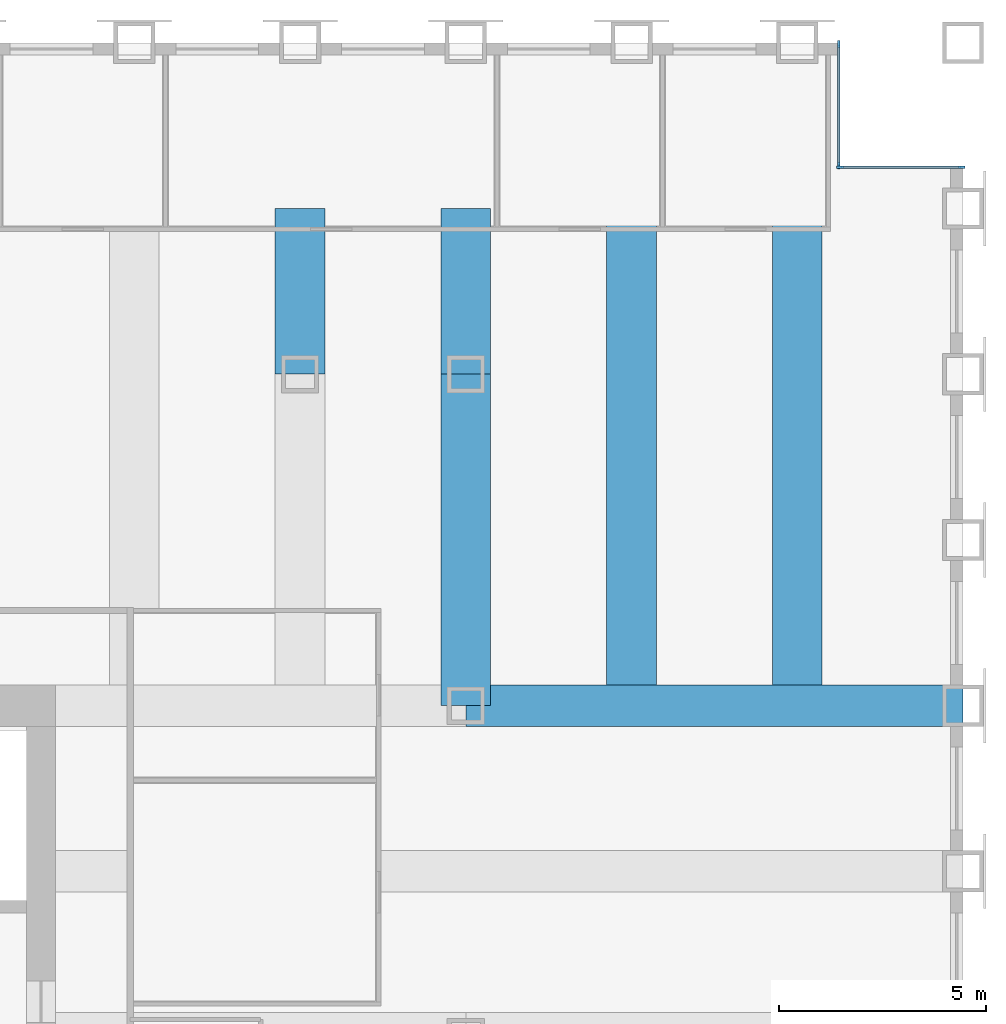
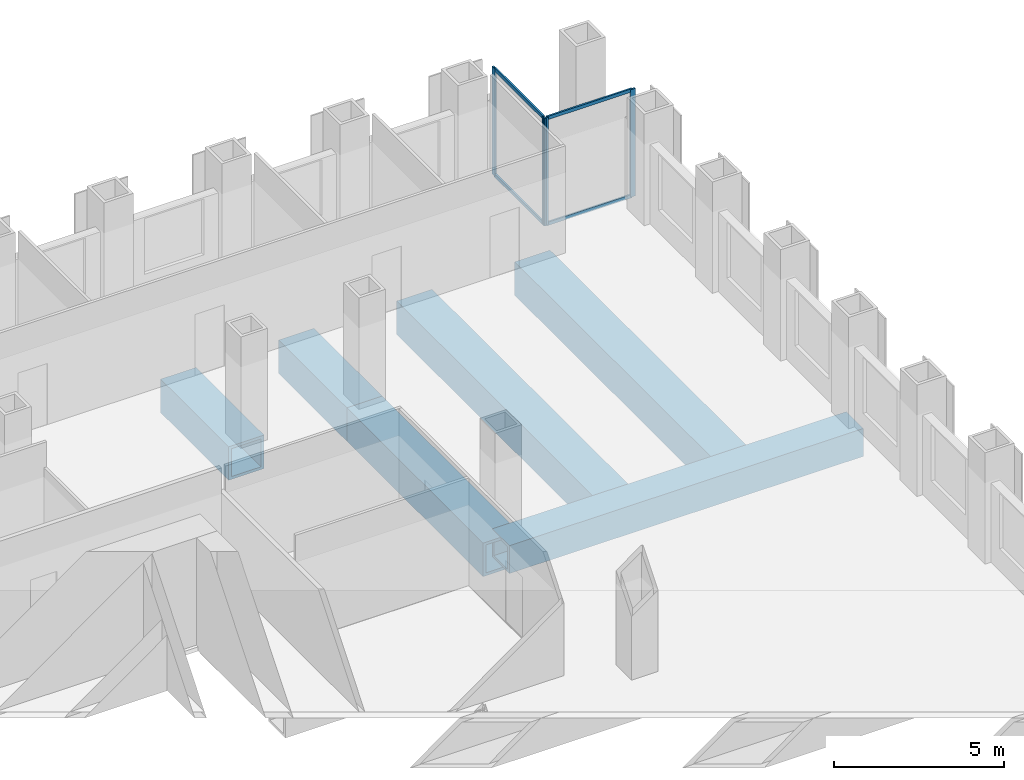
# One storey, part 8 of 14: 8 members, 6 beams, 2 elements without a shape of their own.
"""IFC4 building model written with IfcOpenShell, lengths in metres."""

from ifc_helpers import new_model, si_unit, direction, frame, origin, origin_2d, place, context, subcontext, project, spatial, rectangle, hollow_rectangle, extrude, material, material_profile, profile_set, type_object, element, aggregate, save


model = new_model("IFC4")

# Units and contexts
model_context = context("Model", 3, precision=1e-05, world=origin(), true_north=direction((0.0, 1.0)))
body_context = subcontext(model_context, "Body", "Model", "MODEL_VIEW")
ifc_project = project(units=[si_unit("LENGTHUNIT", "METRE"), si_unit("AREAUNIT", "SQUARE_METRE"), si_unit("VOLUMEUNIT", "CUBIC_METRE"), si_unit("PLANEANGLEUNIT", "RADIAN"), si_unit("MASSUNIT", "GRAM", prefix="KILO")], contexts=[model_context])

# Site, building, storey
site_placement = place(None, origin())
site = spatial("IfcSite", under=ifc_project, at=site_placement, CompositionType="ELEMENT")
building_placement = place(site_placement, origin())
building = spatial("IfcBuilding", under=site, at=building_placement, Name="Rimbunsela Tower", CompositionType="ELEMENT")
storey_placement = place(building_placement, frame((0.0, 0.0, 109.39990234375)))
storey = spatial("IfcBuildingStorey", under=building, at=storey_placement, Name="L26", CompositionType="ELEMENT", Elevation=109.39990234375)

# Beams
ifc_material_1 = material(Name="Steel BJ 55 (fy 410 MPa)", Category="steel")
ifc_material_profile_1 = material_profile(ifc_material_1, hollow_rectangle(XDim=1.0, YDim=1.0, WallThickness=0.10009765625, at=origin_2d()), Name="BOX 1000x1000x100")
ifc_profile_set_1 = profile_set([ifc_material_profile_1], Name="Steel BJ 55 (fy 410 MPa)")
beam_type_1 = type_object("IfcBeamType", Name="Beam BOX 1000x1000x100", PredefinedType="BEAM", material=ifc_profile_set_1)
beam_1_placement = place(storey_placement, frame((46.0, 36.0, -0.64990234375), z_axis=(1.0, 0.0, 0.0), x_axis=(0.0, 1.0, 0.0)))
element("IfcBeam", 1, at=beam_1_placement, inside=storey, type_object=beam_type_1, Name="Beam B3 L26", PredefinedType="BEAM", context=body_context, shape_type="SweptSolid", body=[
    extrude(hollow_rectangle(XDim=1.0, YDim=1.0, WallThickness=0.10009765625, at=origin_2d()), origin(), (0.0, 0.0, 1.0), 12.0),
])
ifc_material_2 = material(Name="Steel BJ 55 (fy 410 MPa)", Category="steel")
ifc_material_profile_2 = material_profile(ifc_material_2, hollow_rectangle(XDim=1.199951171875, YDim=1.199951171875, WallThickness=0.10009765625, at=origin_2d()), Name="BOX 1200x1200x100")
ifc_profile_set_2 = profile_set([ifc_material_profile_2], Name="Steel BJ 55 (fy 410 MPa)")
beam_type_2 = type_object("IfcBeamType", Name="Beam BOX 1200x1200x100", PredefinedType="BEAM", material=ifc_profile_set_2)
beam_2_placement = place(storey_placement, frame((42.0, 44.0, -0.75), z_axis=(0.0, 1.0, 0.0), x_axis=(-1.0, 0.0, 0.0)))
element("IfcBeam", 2, at=beam_2_placement, inside=storey, type_object=beam_type_2, Name="Beam B5 L26", PredefinedType="BEAM", context=body_context, shape_type="SweptSolid", body=[
    extrude(hollow_rectangle(XDim=1.199951171875, YDim=1.199951171875, WallThickness=0.10009765625, at=origin_2d()), origin(), (0.0, 0.0, 1.0), 4.0),
])
beam_3_placement = place(storey_placement, frame((46.0, 36.0, -0.75), z_axis=(0.0, 1.0, 0.0), x_axis=(-1.0, 0.0, 0.0)))
element("IfcBeam", 3, at=beam_3_placement, inside=storey, type_object=beam_type_2, Name="Beam B5 L26", PredefinedType="BEAM", context=body_context, shape_type="SweptSolid", body=[
    extrude(hollow_rectangle(XDim=1.199951171875, YDim=1.199951171875, WallThickness=0.10009765625, at=origin_2d()), origin(), (0.0, 0.0, 1.0), 8.0),
])
beam_4_placement = place(storey_placement, frame((46.0, 44.0, -0.75), z_axis=(0.0, 1.0, 0.0), x_axis=(-1.0, 0.0, 0.0)))
element("IfcBeam", 4, at=beam_4_placement, inside=storey, type_object=beam_type_2, Name="Beam B5 L26", PredefinedType="BEAM", context=body_context, shape_type="SweptSolid", body=[
    extrude(hollow_rectangle(XDim=1.199951171875, YDim=1.199951171875, WallThickness=0.10009765625, at=origin_2d()), origin(), (0.0, 0.0, 1.0), 4.0),
])
for number, where, z_axis, x_axis, name in (
    (5, (50.0, 36.5, -0.75), (0.0, 1.0, 0.0), (-1.0, 0.0, 0.0), "Beam B5 L26"),
    (6, (54.0, 36.5, -0.75), (0.0, 1.0, 0.0), (-1.0, 0.0, 0.0), "Beam B5 L26"),
):
    element("IfcBeam", number, at=place(storey_placement, frame(where, z_axis=z_axis, x_axis=x_axis)), inside=storey, type_object=beam_type_2, Name=name, PredefinedType="BEAM", context=body_context, shape_type="SweptSolid", body=[
        extrude(hollow_rectangle(XDim=1.199951171875, YDim=1.199951171875, WallThickness=0.10009765625, at=origin_2d()), origin(), (0.0, 0.0, 1.0), 11.5),
    ])

# Curtain wall, members
ifc_material_3 = material(Name="Aluminium curtain wall", Category="aluminium")
curtain_wall_type = type_object("IfcCurtainWallType", Name="Corner glazing", PredefinedType="USERDEFINED", material=ifc_material_3)
curtain_wall_1_placement = place(storey_placement, origin())
curtain_wall_1 = element("IfcCurtainWall", 7, at=curtain_wall_1_placement, inside=storey, type_object=curtain_wall_type, Name="Corner glazing L26", ObjectType="CORNER GLAZING", PredefinedType="USERDEFINED")
ifc_material_4 = material(Name="Aluminium mullion", Category="aluminium")
ifc_material_profile_3 = material_profile(ifc_material_4, rectangle(XDim=0.06005859375, YDim=0.159912109375, at=origin_2d()), Name="Mullion 60x160")
ifc_profile_set_3 = profile_set([ifc_material_profile_3], Name="Aluminium mullion")
member_type_1 = type_object("IfcMemberType", Name="Curtain wall mullion 60x160", PredefinedType="MULLION", material=ifc_profile_set_3)
member_1_placement = place(storey_placement, frame((57.969970703125, 49.0, 0.0), z_axis=(0.0, 0.0, 1.0), x_axis=(0.0, -1.0, 0.0)))
member_1 = element("IfcMember", 8, at=member_1_placement, type_object=member_type_1, Name="CW5 mullion 1", PredefinedType="MULLION", context=body_context, shape_type="SweptSolid", body=[
    extrude(rectangle(XDim=0.06005859375, YDim=0.159912109375, at=origin_2d()), origin(), (0.0, 0.0, 1.0), 3.85009765625),
])
member_2_placement = place(storey_placement, frame((55.030029296875, 49.0, 0.0), z_axis=(0.0, 0.0, 1.0), x_axis=(0.0, -1.0, 0.0)))
member_2 = element("IfcMember", 9, at=member_2_placement, type_object=member_type_1, Name="CW5 mullion 2", PredefinedType="MULLION", context=body_context, shape_type="SweptSolid", body=[
    extrude(rectangle(XDim=0.06005859375, YDim=0.159912109375, at=origin_2d()), origin(), (0.0, 0.0, 1.0), 3.85009765625),
])

curtain_wall_2_placement = place(storey_placement, origin())
curtain_wall_2 = element("IfcCurtainWall", 10, at=curtain_wall_2_placement, inside=storey, type_object=curtain_wall_type, Name="Corner glazing L26", ObjectType="CORNER GLAZING", PredefinedType="USERDEFINED")
member_3_placement = place(storey_placement, frame((55.0, 49.030029296875, 0.0), z_axis=(0.0, 0.0, 1.0), x_axis=(-1.0, 0.0, 0.0)))
member_3 = element("IfcMember", 11, at=member_3_placement, type_object=member_type_1, Name="CW5 mullion 1", PredefinedType="MULLION", context=body_context, shape_type="SweptSolid", body=[
    extrude(rectangle(XDim=0.06005859375, YDim=0.159912109375, at=origin_2d()), origin(), (0.0, 0.0, 1.0), 3.85009765625),
])
member_4_placement = place(storey_placement, frame((55.0, 51.969970703125, 0.0), z_axis=(0.0, 0.0, 1.0), x_axis=(-1.0, 0.0, 0.0)))
member_4 = element("IfcMember", 12, at=member_4_placement, type_object=member_type_1, Name="CW5 mullion 2", PredefinedType="MULLION", context=body_context, shape_type="SweptSolid", body=[
    extrude(rectangle(XDim=0.06005859375, YDim=0.159912109375, at=origin_2d()), origin(), (0.0, 0.0, 1.0), 3.85009765625),
])

# Member
ifc_material_5 = material(Name="Aluminium transom", Category="aluminium")
ifc_material_profile_4 = material_profile(ifc_material_5, rectangle(XDim=0.06005859375, YDim=0.1201171875, at=origin_2d()), Name="Transom 60x120")
ifc_profile_set_4 = profile_set([ifc_material_profile_4], Name="Aluminium transom")
member_type_2 = type_object("IfcMemberType", Name="Curtain wall transom 60x120", PredefinedType="USERDEFINED", material=ifc_profile_set_4)
member_5_placement = place(storey_placement, frame((57.93994140625, 49.0, 0.030029296875), z_axis=(-1.0, 0.0, 0.0), x_axis=(0.0, -1.0, 0.0)))
member_5 = element("IfcMember", 13, at=member_5_placement, type_object=member_type_2, Name="CW5 transom 1.1", ObjectType="TRANSOM", PredefinedType="USERDEFINED", context=body_context, shape_type="SweptSolid", body=[
    extrude(rectangle(XDim=0.06005859375, YDim=0.1201171875, at=origin_2d()), origin(), (0.0, 0.0, 1.0), 2.8798828125),
])

member_6_placement = place(storey_placement, frame((57.93994140625, 49.0, 3.820068359375), z_axis=(-1.0, 0.0, 0.0), x_axis=(0.0, -1.0, 0.0)))
member_6 = element("IfcMember", 14, at=member_6_placement, type_object=member_type_2, Name="CW5 transom 1.2", ObjectType="TRANSOM", PredefinedType="USERDEFINED", context=body_context, shape_type="SweptSolid", body=[
    extrude(rectangle(XDim=0.06005859375, YDim=0.1201171875, at=origin_2d()), origin(), (0.0, 0.0, 1.0), 2.8798828125),
])

aggregate(curtain_wall_1, [member_1, member_2, member_5, member_6])

member_7_placement = place(storey_placement, frame((55.0, 49.06005859375, 0.030029296875), z_axis=(0.0, 1.0, 0.0), x_axis=(-1.0, 0.0, 0.0)))
member_7 = element("IfcMember", 15, at=member_7_placement, type_object=member_type_2, Name="CW5 transom 1.1", ObjectType="TRANSOM", PredefinedType="USERDEFINED", context=body_context, shape_type="SweptSolid", body=[
    extrude(rectangle(XDim=0.06005859375, YDim=0.1201171875, at=origin_2d()), origin(), (0.0, 0.0, 1.0), 2.8798828125),
])

member_8_placement = place(storey_placement, frame((55.0, 49.06005859375, 3.820068359375), z_axis=(0.0, 1.0, 0.0), x_axis=(-1.0, 0.0, 0.0)))
member_8 = element("IfcMember", 16, at=member_8_placement, type_object=member_type_2, Name="CW5 transom 1.2", ObjectType="TRANSOM", PredefinedType="USERDEFINED", context=body_context, shape_type="SweptSolid", body=[
    extrude(rectangle(XDim=0.06005859375, YDim=0.1201171875, at=origin_2d()), origin(), (0.0, 0.0, 1.0), 2.8798828125),
])

aggregate(curtain_wall_2, [member_3, member_4, member_7, member_8])

save(model, "model.ifc")
